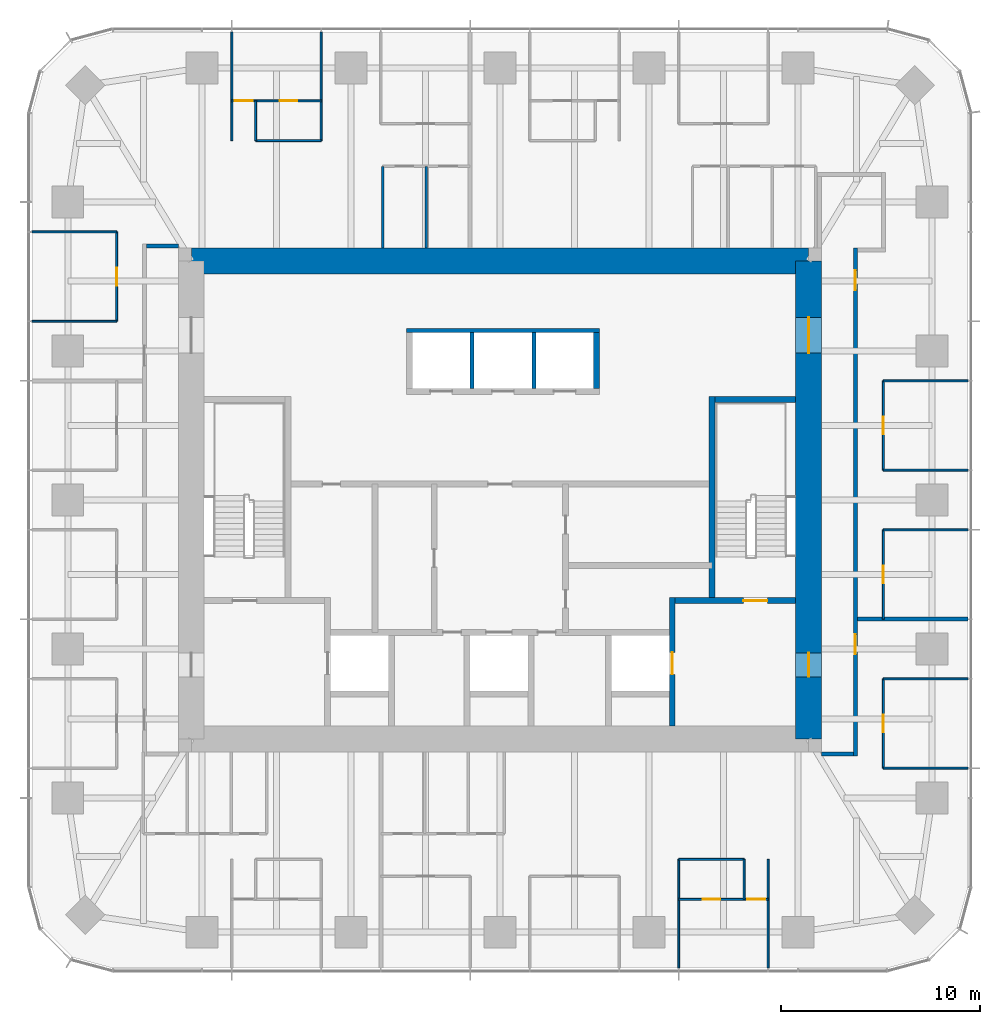
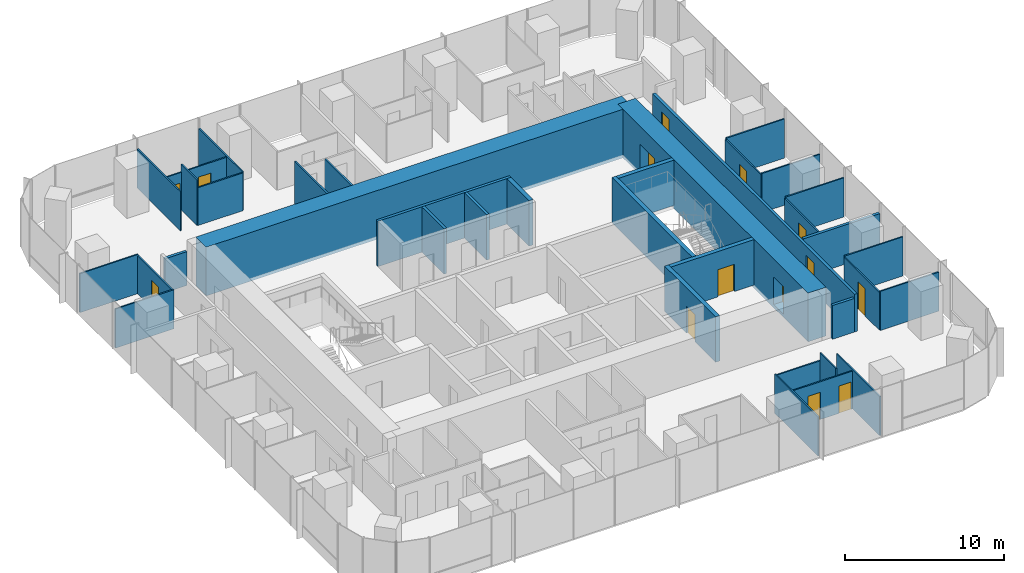
# One storey, part 10 of 12: 37 walls, 14 doors, 14 openings.
"""IFC4 building model written with IfcOpenShell, lengths in metres."""

import ifcopenshell
import ifcopenshell.guid

model = None  # the IFC model being written
_history = None  # IfcOwnerHistory: only IFC2X3 demands one
_inside = {}  # id of a spatial element -> (the spatial element, [elements in it])
_under = {}  # id of a project, library or spatial element -> (it, [spatial elements below it])
_declared = {}  # id of a project -> (the project, [libraries it declares])
_typed = {}  # id of a type object -> (the type object, [elements of that type])
_made_of = {}  # id of a material, layer set ... -> (it, [elements and type objects made of it])


def new_model(schema):
    """Start an empty IFC model of exactly this schema.

    Asked for "IFC4X3", IfcOpenShell would pick the latest addendum, in which some entities
    have other attributes; the version numbers below select the first issue.
    IFC2X3 requires an IfcOwnerHistory on every rooted entity: one is made here for all.
    """
    global model, _history
    if schema == "IFC4X3":
        model = ifcopenshell.file(schema_version=(4, 3, 0, 0))
    else:
        model = ifcopenshell.file(schema=schema)
    _inside.clear()
    _under.clear()
    _declared.clear()
    _typed.clear()
    _made_of.clear()
    _history = None
    if model.schema == "IFC2X3":
        org = make("IfcOrganization", Name="unknown")
        user = make(
            "IfcPersonAndOrganization",
            ThePerson=make("IfcPerson", FamilyName="unknown"),
            TheOrganization=org,
        )
        app = make(
            "IfcApplication",
            ApplicationDeveloper=org,
            Version="unknown",
            ApplicationFullName="unknown",
            ApplicationIdentifier="unknown",
        )
        _history = make(
            "IfcOwnerHistory",
            OwningUser=user,
            OwningApplication=app,
            ChangeAction="ADDED",
            CreationDate=0,
        )
    return model


def make(cls, **values):
    """One entity of the class cls with the attributes given. An attribute that is None is left unset."""
    return model.create_entity(
        cls, **{name: value for name, value in values.items() if value is not None}
    )


def rooted(cls, **values):
    """An entity with a GlobalId (a new one), such as an element, a storey or a relation."""
    return make(cls, GlobalId=ifcopenshell.guid.new(), OwnerHistory=_history, **values)


def si_unit(unit_type, name, prefix=None):
    """IfcSIUnit, for example si_unit("LENGTHUNIT", "METRE", prefix="MILLI")."""
    return make("IfcSIUnit", UnitType=unit_type, Prefix=prefix, Name=name)


def assignment(units):
    """IfcUnitAssignment: the units of a project."""
    return None if units is None else make("IfcUnitAssignment", Units=units)


def point(xyz):
    """IfcCartesianPoint."""
    return None if xyz is None else make("IfcCartesianPoint", Coordinates=xyz)


def direction(xyz):
    """IfcDirection."""
    return None if xyz is None else make("IfcDirection", DirectionRatios=xyz)


def frame(location, z_axis=None, x_axis=None):
    """IfcAxis2Placement3D, a coordinate frame: its origin and axes. An axis left out is left unset."""
    return make(
        "IfcAxis2Placement3D",
        Location=point(location),
        Axis=direction(z_axis),
        RefDirection=direction(x_axis),
    )


def frame_2d(location, x_axis=None):
    """IfcAxis2Placement2D, a coordinate frame in the plane: its origin and x axis."""
    return make(
        "IfcAxis2Placement2D", Location=point(location), RefDirection=direction(x_axis)
    )


def origin():
    """The frame at (0, 0, 0) with its axes left unset."""
    return frame((0.0, 0.0, 0.0))


def place(relative_to, where):
    """IfcLocalPlacement: puts the frame where relative to a parent placement (None: the world)."""
    return make(
        "IfcLocalPlacement", PlacementRelTo=relative_to, RelativePlacement=where
    )


def context(
    kind, dimensions, precision=None, world=None, true_north=None, identifier=None
):
    """IfcGeometricRepresentationContext, for example the 3D "Model" context."""
    return make(
        "IfcGeometricRepresentationContext",
        ContextIdentifier=identifier,
        ContextType=kind,
        CoordinateSpaceDimension=dimensions,
        Precision=precision,
        WorldCoordinateSystem=world,
        TrueNorth=true_north,
    )


def subcontext(parent, identifier, kind, view, scale=None):
    """IfcGeometricRepresentationSubContext, for example "Body" below "Model"."""
    return make(
        "IfcGeometricRepresentationSubContext",
        ContextIdentifier=identifier,
        ContextType=kind,
        ParentContext=parent,
        TargetScale=scale,
        TargetView=view,
    )


def project(units=None, contexts=None):
    """IfcProject with its units and contexts."""
    return rooted(
        "IfcProject",
        Name="project",
        RepresentationContexts=contexts,
        UnitsInContext=assignment(units),
    )


def spatial(cls, under=None, at=None, **own):
    """A site, building, storey or space (cls), placed at a placement, below another one or the project."""
    s = rooted(cls, ObjectPlacement=at, **own)
    if under is not None:
        _under.setdefault(under.id(), (under, []))[1].append(s)
    return s


def profile(cls, at=None, kind="AREA", **sizes):
    """A parametric profile (cls). Its sizes go by their IFC names, for example OverallWidth=200.0."""
    return make(cls, ProfileType=kind, Position=at, **sizes)


def rectangle(**sizes):
    """IfcRectangleProfileDef."""
    return profile("IfcRectangleProfileDef", **sizes)


def extrude(swept, where, along, depth):
    """IfcExtrudedAreaSolid: the profile swept, set in the frame where, extruded along a direction by depth."""
    return make(
        "IfcExtrudedAreaSolid",
        SweptArea=swept,
        Position=where,
        ExtrudedDirection=direction(along),
        Depth=depth,
    )


def shape(context_of_items, identifier, shape_type, items):
    """IfcShapeRepresentation: the items that make up one representation, for example the "Body"."""
    return make(
        "IfcShapeRepresentation",
        ContextOfItems=context_of_items,
        RepresentationIdentifier=identifier,
        RepresentationType=shape_type,
        Items=items,
    )


def material(Name=None, Category=None):
    """IfcMaterial."""
    return make("IfcMaterial", Name=Name, Category=Category)


def layer(
    of_material, thickness, ventilated=None, Name=None, Category=None, Priority=None
):
    """IfcMaterialLayer: one layer of a wall or slab, of a material (None: an air gap)."""
    return make(
        "IfcMaterialLayer",
        Material=of_material,
        LayerThickness=thickness,
        IsVentilated=ventilated,
        Name=Name,
        Category=Category,
        Priority=Priority,
    )


def layer_set(layers, Name=None):
    """IfcMaterialLayerSet."""
    return make("IfcMaterialLayerSet", MaterialLayers=layers, LayerSetName=Name)


def made_of(thing, what):
    """Note that an element or type object is made of a material, layer set ...; save() writes the relation."""
    if what is not None:
        _made_of.setdefault(what.id(), (what, []))[1].append(thing)
    return thing


def type_object(cls, material=None, **own):
    """A type object (cls), such as IfcWallType, which elements share."""
    return made_of(rooted(cls, **own), material)


def element(
    cls,
    number,
    at=None,
    inside=None,
    cuts=None,
    type_object=None,
    material=None,
    context=None,
    identifier="Body",
    shape_type=None,
    held_by="IfcProductDefinitionShape",
    body=None,
    shapes=None,
    **own,
):
    """One element of the class cls, such as IfcWall. Its Tag is "e" and its number.

    at: its placement. inside: the storey or other place that contains it. cuts: it is an
    opening in that element (IfcRelVoidsElement). A single representation is given by context,
    identifier, shape_type and body (its items); several are given by shapes. held_by: the class
    of the entity that holds the representations. save() writes the other relations.
    """
    e = rooted(cls, Tag="e%d" % number, ObjectPlacement=at, **own)
    if body is not None:
        shapes = [shape(context, identifier, shape_type, body)]
    if shapes is not None:
        e.Representation = make(held_by, Representations=shapes)
    if inside is not None:
        _inside.setdefault(inside.id(), (inside, []))[1].append(e)
    if cuts is not None:
        rooted(
            "IfcRelVoidsElement", RelatingBuildingElement=cuts, RelatedOpeningElement=e
        )
    if type_object is not None:
        _typed.setdefault(type_object.id(), (type_object, []))[1].append(e)
    return made_of(e, material)


def fill(opening, filler):
    """IfcRelFillsElement: the door or window that sits in an opening."""
    return rooted(
        "IfcRelFillsElement",
        RelatingOpeningElement=opening,
        RelatedBuildingElement=filler,
    )


def aggregate(whole, parts):
    """IfcRelAggregates: a whole, such as a stair, and the parts it consists of."""
    return rooted("IfcRelAggregates", RelatingObject=whole, RelatedObjects=parts)


def save(model, path):
    """Write the relations noted so far, then the file.

    IfcRelAggregates (storeys below a building ...), IfcRelContainedInSpatialStructure (elements
    in a storey), IfcRelDefinesByType, IfcRelAssociatesMaterial and IfcRelDeclares: one each for
    every whole, place, type object, material and project.
    """
    for whole, parts in _under.values():
        aggregate(whole, parts)
    for where, things in _inside.values():
        rooted(
            "IfcRelContainedInSpatialStructure",
            RelatedElements=things,
            RelatingStructure=where,
        )
    for kind, things in _typed.values():
        rooted("IfcRelDefinesByType", RelatedObjects=things, RelatingType=kind)
    for what, things in _made_of.values():
        rooted("IfcRelAssociatesMaterial", RelatedObjects=things, RelatingMaterial=what)
    for by, libraries in _declared.values():
        rooted("IfcRelDeclares", RelatingContext=by, RelatedDefinitions=libraries)
    model.write(path)


model = new_model("IFC4")

# Units and contexts
model_context = context("Model", 3, precision=1e-05, world=origin(), true_north=direction((0.0, 1.0)))
body_context = subcontext(model_context, "Body", "Model", "MODEL_VIEW")
ifc_project = project(units=[si_unit("LENGTHUNIT", "METRE"), si_unit("AREAUNIT", "SQUARE_METRE"), si_unit("VOLUMEUNIT", "CUBIC_METRE"), si_unit("PLANEANGLEUNIT", "RADIAN"), si_unit("MASSUNIT", "GRAM", prefix="KILO")], contexts=[model_context])

# Site, building, storey
site_placement = place(None, origin())
site = spatial("IfcSite", under=ifc_project, at=site_placement, CompositionType="ELEMENT")
building_placement = place(site_placement, origin())
building = spatial("IfcBuilding", under=site, at=building_placement, Name="Khuree Lantern Residences", CompositionType="ELEMENT")
storey_placement = place(building_placement, frame((0.0, 0.0, 304.5)))
storey = spatial("IfcBuildingStorey", under=building, at=storey_placement, Name="L76", CompositionType="ELEMENT", Elevation=304.5)

# Walls
ifc_material_1 = material(Name="Moisture-resistant gypsum board on steel studs", Category="steel")
ifc_layer_1 = layer(ifc_material_1, 0.125)
ifc_layer_set_1 = layer_set([ifc_layer_1], Name="BATHROOM WALL BTW125")
wall_type_1 = type_object("IfcWallType", Name="BATHROOM WALL BTW125", PredefinedType="PARTITIONING", material=ifc_layer_set_1)
wall_1_placement = place(storey_placement, frame((-3.696044921875, 12.64990234375, 0.0), z_axis=(0.0, 0.0, 1.0), x_axis=(0.0, 1.0, 0.0)))
element("IfcWall", 1, at=wall_1_placement, inside=storey, type_object=wall_type_1, Name="L76 BATHROOM WALL 02", PredefinedType="PARTITIONING", context=body_context, shape_type="SweptSolid", body=[
    extrude(rectangle(XDim=4.096435546875, YDim=0.125, at=frame_2d((2.04833984375, 0.0))), origin(), (0.0, 0.0, 1.0), 2.909912109375),
])
wall_2_placement = place(storey_placement, frame((-5.89599609375, 12.64990234375, 0.0), z_axis=(0.0, 0.0, 1.0), x_axis=(0.0, 1.0, 0.0)))
element("IfcWall", 2, at=wall_2_placement, inside=storey, type_object=wall_type_1, Name="L76 BATHROOM WALL 02", PredefinedType="PARTITIONING", context=body_context, shape_type="SweptSolid", body=[
    extrude(rectangle(XDim=4.096435546875, YDim=0.125, at=frame_2d((2.04833984375, 0.0))), origin(), (0.0, 0.0, 1.0), 3.5),
])

# Wall, opening, door
ifc_material_2 = material(Name="Dense concrete blockwork", Category="masonry")
ifc_layer_2 = layer(ifc_material_2, 0.300048828125)
ifc_layer_set_2 = layer_set([ifc_layer_2], Name="CORE PARTITION WALL CPW300 EI 120")
wall_type_2 = type_object("IfcWallType", Name="CORE PARTITION WALL CPW300 EI 120", PredefinedType="PARTITIONING", material=ifc_layer_set_2)
wall_3_placement = place(storey_placement, frame((8.64990234375, -11.35009765625, 0.0), z_axis=(0.0, 0.0, 1.0), x_axis=(0.0, 1.0, 0.0)))
wall_3 = element("IfcWall", 3, at=wall_3_placement, inside=storey, type_object=wall_type_2, Name="L76 CORE WALL FL2E", PredefinedType="PARTITIONING", context=body_context, shape_type="SweptSolid", body=[
    extrude(rectangle(XDim=6.4501953125, YDim=0.300048828125, at=frame_2d((3.22509765625, 0.0))), origin(), (0.0, 0.0, 1.0), 3.5),
])
opening_1_placement = place(wall_3_placement, frame((2.60009765625, 0.0, 0.0)))
opening_1 = element("IfcOpeningElement", 4, at=opening_1_placement, cuts=wall_3, Name="Opening 76-008", PredefinedType="OPENING", context=body_context, shape_type="SweptSolid", body=[
    extrude(rectangle(XDim=1.10009765625, YDim=2.10009765625, at=frame_2d((0.550048828125, 1.050048828125))), frame((0.0, 0.16015625, 0.0), z_axis=(0.0, -1.0, 0.0), x_axis=(1.0, 0.0, 0.0)), (0.0, 0.0, 1.0), 0.320068359375),
])
ifc_material_3 = material(Name="Stainless steel lift landing door", Category="steel")
door_type_1 = type_object("IfcDoorType", Name="LIFT LANDING DOOR 1100X2100 E 120", OperationType="DOUBLE_DOOR_SLIDING", PredefinedType="DOOR", material=ifc_material_3)
door_1_placement = place(opening_1_placement, origin())
door_1 = element("IfcDoor", 5, at=door_1_placement, inside=storey, type_object=door_type_1, Name="Landing door FL2 76-008", OperationType="DOUBLE_DOOR_SLIDING", OverallHeight=2.10009765625, OverallWidth=1.10009765625, PredefinedType="DOOR", context=body_context, shape_type="SweptSolid", body=[
    extrude(rectangle(XDim=1.10009765625, YDim=2.10009765625, at=frame_2d((0.550048828125, 1.050048828125))), frame((0.0, 0.02490234375, 0.0), z_axis=(0.0, -1.0, 0.0), x_axis=(1.0, 0.0, 0.0)), (0.0, 0.0, 1.0), 0.050048828125),
])
fill(opening_1, door_1)

# Walls
wall_4_placement = place(storey_placement, frame((4.85009765625, 5.60009765625, 0.0), z_axis=(0.0, 0.0, 1.0), x_axis=(0.0, 1.0, 0.0)))
element("IfcWall", 6, at=wall_4_placement, inside=storey, type_object=wall_type_2, Name="L76 CORE WALL PHE", PredefinedType="PARTITIONING", context=body_context, shape_type="SweptSolid", body=[
    extrude(rectangle(XDim=2.7998046875, YDim=0.300048828125, at=frame_2d((1.39990234375, 0.0))), origin(), (0.0, 0.0, 1.0), 3.5),
])
ifc_material_4 = material(Name="Gypsum board on steel studs", Category="steel")
ifc_layer_3 = layer(ifc_material_4, 0.199951171875)
ifc_layer_set_3 = layer_set([ifc_layer_3], Name="CORRIDOR WALL CRW200 EI 60")
wall_type_3 = type_object("IfcWallType", Name="CORRIDOR WALL CRW200 EI 60", PredefinedType="PARTITIONING", material=ifc_layer_set_3)
for number, where, z_axis, x_axis, name in (
    (7, (16.14990234375, -12.75, 0.0), (0.0, 0.0, 1.0), (1.0, 0.0, 0.0), "L76 EAST CORRIDOR SOUTH END WALL"),
    (8, (-16.14990234375, 12.75, 0.0), (0.0, 0.0, 1.0), (-1.0, 0.0, 0.0), "L76 WEST CORRIDOR NORTH END WALL"),
):
    element("IfcWall", number, at=place(storey_placement, frame(where, z_axis=z_axis, x_axis=x_axis)), inside=storey, type_object=wall_type_3, Name=name, PredefinedType="PARTITIONING", context=body_context, shape_type="SweptSolid", body=[
        extrude(rectangle(XDim=1.60009765625, YDim=0.199951171875, at=frame_2d((0.800048828125, 0.0))), origin(), (0.0, 0.0, 1.0), 2.60009765625),
    ])

# Wall, openings, doors
wall_5_placement = place(storey_placement, frame((17.85009765625, -12.85009765625, 0.0), z_axis=(0.0, 0.0, 1.0), x_axis=(0.0, 1.0, 0.0)))
wall_5 = element("IfcWall", 9, at=wall_5_placement, inside=storey, type_object=wall_type_3, Name="L76 CORRIDOR WALL EAST 1", PredefinedType="PARTITIONING", context=body_context, shape_type="SweptSolid", body=[
    extrude(rectangle(XDim=25.5, YDim=0.199951171875, at=frame_2d((12.75, 0.0))), origin(), (0.0, 0.0, 1.0), 2.89990234375),
])
opening_2_placement = place(wall_5_placement, frame((23.385986328125, 0.0, 0.0)))
opening_2 = element("IfcOpeningElement", 10, at=opening_2_placement, cuts=wall_5, Name="Opening 76-028", PredefinedType="OPENING", context=body_context, shape_type="SweptSolid", body=[
    extrude(rectangle(XDim=1.0, YDim=2.199951171875, at=frame_2d((0.5, 1.10009765625))), frame((0.0, 0.10986328125, 0.0), z_axis=(0.0, -1.0, 0.0), x_axis=(1.0, 0.0, 0.0)), (0.0, 0.0, 1.0), 0.219970703125),
])
opening_3_placement = place(wall_5_placement, frame((5.10009765625, 0.0, 0.0)))
opening_3 = element("IfcOpeningElement", 11, at=opening_3_placement, cuts=wall_5, Name="Opening 76-053", PredefinedType="OPENING", context=body_context, shape_type="SweptSolid", body=[
    extrude(rectangle(XDim=1.0, YDim=2.199951171875, at=frame_2d((0.5, 1.10009765625))), frame((0.0, 0.10986328125, 0.0), z_axis=(0.0, -1.0, 0.0), x_axis=(1.0, 0.0, 0.0)), (0.0, 0.0, 1.0), 0.219970703125),
])
ifc_material_5 = material(Name="Timber door leaf in hardwood frame", Category="wood")
door_type_2 = type_object("IfcDoorType", Name="APARTMENT ENTRANCE DOOR 1000X2200 EI 30S", OperationType="SINGLE_SWING_LEFT", PredefinedType="DOOR", material=ifc_material_5)
door_2_placement = place(opening_2_placement, origin())
door_2 = element("IfcDoor", 12, at=door_2_placement, inside=storey, type_object=door_type_2, Name="Apartment 01 entrance door 76-028", OperationType="SINGLE_SWING_LEFT", OverallHeight=2.199951171875, OverallWidth=1.0, PredefinedType="DOOR", context=body_context, shape_type="SweptSolid", body=[
    extrude(rectangle(XDim=1.0, YDim=2.199951171875, at=frame_2d((0.5, 1.10009765625))), frame((0.0, 0.02490234375, 0.0), z_axis=(0.0, -1.0, 0.0), x_axis=(1.0, 0.0, 0.0)), (0.0, 0.0, 1.0), 0.050048828125),
])
fill(opening_2, door_2)
door_3_placement = place(opening_3_placement, origin())
door_3 = element("IfcDoor", 13, at=door_3_placement, inside=storey, type_object=door_type_2, Name="Apartment 04 entrance door 76-053", OperationType="SINGLE_SWING_LEFT", OverallHeight=2.199951171875, OverallWidth=1.0, PredefinedType="DOOR", context=body_context, shape_type="SweptSolid", body=[
    extrude(rectangle(XDim=1.0, YDim=2.199951171875, at=frame_2d((0.5, 1.10009765625))), frame((0.0, 0.02490234375, 0.0), z_axis=(0.0, -1.0, 0.0), x_axis=(1.0, 0.0, 0.0)), (0.0, 0.0, 1.0), 0.050048828125),
])
fill(opening_3, door_3)

ifc_material_6 = material(Name="Concrete C50/60", Category="concrete")
ifc_layer_4 = layer(ifc_material_6, 1.300048828125)
ifc_layer_set_4 = layer_set([ifc_layer_4], Name="CW1300-C50 CORE WALL C50 1300")
wall_type_4 = type_object("IfcWallType", Name="CW1300-C50 CORE WALL C50 1300", PredefinedType="SHEAR", material=ifc_layer_set_4)
wall_6_placement = place(storey_placement, frame((15.5, -12.0, -0.25), z_axis=(0.0, 0.0, 1.0), x_axis=(0.0, 1.0, 0.0)))
wall_6 = element("IfcWall", 14, at=wall_6_placement, inside=storey, type_object=wall_type_4, Name="Core wall E", PredefinedType="SHEAR", context=body_context, shape_type="SweptSolid", body=[
    extrude(rectangle(XDim=24.0, YDim=1.300048828125, at=frame_2d((12.0, 0.0))), origin(), (0.0, 0.0, 1.0), 3.75),
])
opening_4_placement = place(wall_6_placement, frame((3.125, 0.0, 0.25)))
opening_4 = element("IfcOpeningElement", 15, at=opening_4_placement, cuts=wall_6, Name="Opening 76-005", PredefinedType="OPENING", context=body_context, shape_type="SweptSolid", body=[
    extrude(rectangle(XDim=1.199951171875, YDim=2.10009765625, at=frame_2d((0.60009765625, 1.050048828125))), frame((0.0, 0.66015625, 0.0), z_axis=(0.0, -1.0, 0.0), x_axis=(1.0, 0.0, 0.0)), (0.0, 0.0, 1.0), 1.320068359375),
])
opening_5_placement = place(wall_6_placement, frame((19.375, 0.0, 0.25)))
opening_5 = element("IfcOpeningElement", 16, at=opening_5_placement, cuts=wall_6, Name="Opening 76-006", PredefinedType="OPENING", context=body_context, shape_type="SweptSolid", body=[
    extrude(rectangle(XDim=1.800048828125, YDim=2.10009765625, at=frame_2d((0.89990234375, 1.050048828125))), frame((0.0, 0.66015625, 0.0), z_axis=(0.0, -1.0, 0.0), x_axis=(1.0, 0.0, 0.0)), (0.0, 0.0, 1.0), 1.320068359375),
])
ifc_material_7 = material(Name="Steel door leaf in steel frame", Category="steel")
door_type_3 = type_object("IfcDoorType", Name="LOBBY DOOR 1200X2100 EI 120", OperationType="SINGLE_SWING_LEFT", PredefinedType="DOOR", material=ifc_material_7)
door_4_placement = place(opening_4_placement, origin())
door_4 = element("IfcDoor", 17, at=door_4_placement, inside=storey, type_object=door_type_3, Name="Firefighting lobby door 76-005", OperationType="SINGLE_SWING_LEFT", OverallHeight=2.10009765625, OverallWidth=1.199951171875, PredefinedType="DOOR", context=body_context, shape_type="SweptSolid", body=[
    extrude(rectangle(XDim=1.199951171875, YDim=2.10009765625, at=frame_2d((0.60009765625, 1.050048828125))), frame((0.0, 0.02490234375, 0.0), z_axis=(0.0, -1.0, 0.0), x_axis=(1.0, 0.0, 0.0)), (0.0, 0.0, 1.0), 0.050048828125),
])
fill(opening_4, door_4)
door_type_4 = type_object("IfcDoorType", Name="LOBBY DOUBLE DOOR 1800X2100 EI 60", OperationType="DOUBLE_DOOR_SINGLE_SWING", PredefinedType="DOOR", material=ifc_material_7)
door_5_placement = place(opening_5_placement, origin())
door_5 = element("IfcDoor", 18, at=door_5_placement, inside=storey, type_object=door_type_4, Name="Lift lobby door 76-006", OperationType="DOUBLE_DOOR_SINGLE_SWING", OverallHeight=2.10009765625, OverallWidth=1.800048828125, PredefinedType="DOOR", context=body_context, shape_type="SweptSolid", body=[
    extrude(rectangle(XDim=1.800048828125, YDim=2.10009765625, at=frame_2d((0.89990234375, 1.050048828125))), frame((0.0, 0.02490234375, 0.0), z_axis=(0.0, -1.0, 0.0), x_axis=(1.0, 0.0, 0.0)), (0.0, 0.0, 1.0), 0.050048828125),
])
fill(opening_5, door_5)

# Walls
wall_7_placement = place(storey_placement, frame((-15.5, 12.0, -0.25), z_axis=(0.0, 0.0, 1.0), x_axis=(1.0, 0.0, 0.0)))
element("IfcWall", 19, at=wall_7_placement, inside=storey, type_object=wall_type_4, Name="Core wall N", PredefinedType="SHEAR", context=body_context, shape_type="SweptSolid", body=[
    extrude(rectangle(XDim=31.0, YDim=1.300048828125, at=frame_2d((15.5, 0.0))), origin(), (0.0, 0.0, 1.0), 3.75),
])
ifc_layer_5 = layer(ifc_material_4, 0.199951171875)
ifc_layer_set_5 = layer_set([ifc_layer_5], Name="DEMISING WALL DMW200 EI 90")
wall_type_5 = type_object("IfcWallType", Name="DEMISING WALL DMW200 EI 90", PredefinedType="PARTITIONING", material=ifc_layer_set_5)
wall_8_placement = place(storey_placement, frame((17.949951171875, -5.98388671875, 0.0), z_axis=(0.0, 0.0, 1.0), x_axis=(1.0, 0.0, 0.0)))
element("IfcWall", 20, at=wall_8_placement, inside=storey, type_object=wall_type_5, Name="L76 DEMISING WALL 01", PredefinedType="PARTITIONING", context=body_context, shape_type="SweptSolid", body=[
    extrude(rectangle(XDim=5.550048828125, YDim=0.199951171875, at=frame_2d((2.77490234375, 0.0))), origin(), (0.0, 0.0, 1.0), 3.010009765625),
])
ifc_layer_6 = layer(ifc_material_4, 0.10009765625)
ifc_layer_set_6 = layer_set([ifc_layer_6], Name="PARTITION PT100")
wall_type_6 = type_object("IfcWallType", Name="PARTITION PT100", PredefinedType="PARTITIONING", material=ifc_layer_set_6)
for number, where, z_axis, x_axis, name in (
    (21, (19.25, -1.49609375, 0.0), (0.0, 0.0, 1.0), (1.0, 0.0, 0.0), "L76 PARTITION 01"),
    (22, (19.25, 1.49609375, 0.0), (0.0, 0.0, 1.0), (1.0, 0.0, 0.0), "L76 PARTITION 01"),
    (23, (19.25, 5.98388671875, 0.0), (0.0, 0.0, 1.0), (1.0, 0.0, 0.0), "L76 PARTITION 01"),
):
    element("IfcWall", number, at=place(storey_placement, frame(where, z_axis=z_axis, x_axis=x_axis)), inside=storey, type_object=wall_type_6, Name=name, PredefinedType="PARTITIONING", context=body_context, shape_type="SweptSolid", body=[
        extrude(rectangle(XDim=4.25, YDim=0.10009765625, at=frame_2d((2.125, 0.0))), origin(), (0.0, 0.0, 1.0), 3.010009765625),
    ])
for number, where, z_axis, x_axis, name in (
    (24, (-8.97607421875, 18.04638671875, 0.0), (0.0, 0.0, 1.0), (0.0, 1.0, 0.0), "L76 PARTITION 02"),
    (25, (-13.464111328125, 18.04638671875, 0.0), (0.0, 0.0, 1.0), (0.0, 1.0, 0.0), "L76 PARTITION 02"),
):
    element("IfcWall", number, at=place(storey_placement, frame(where, z_axis=z_axis, x_axis=x_axis)), inside=storey, type_object=wall_type_6, Name=name, PredefinedType="PARTITIONING", context=body_context, shape_type="SweptSolid", body=[
        extrude(rectangle(XDim=5.45361328125, YDim=0.10009765625, at=frame_2d((2.726806640625, 0.0))), origin(), (0.0, 0.0, 1.0), 3.010009765625),
    ])
for number, where, z_axis, x_axis, name in (
    (26, (-19.25, 13.464111328125, 0.0), (0.0, 0.0, 1.0), (-1.0, 0.0, 0.0), "L76 PARTITION 02"),
    (27, (-19.25, 8.97607421875, 0.0), (0.0, 0.0, 1.0), (-1.0, 0.0, 0.0), "L76 PARTITION 02"),
):
    element("IfcWall", number, at=place(storey_placement, frame(where, z_axis=z_axis, x_axis=x_axis)), inside=storey, type_object=wall_type_6, Name=name, PredefinedType="PARTITIONING", context=body_context, shape_type="SweptSolid", body=[
        extrude(rectangle(XDim=4.25, YDim=0.10009765625, at=frame_2d((2.125, 0.0))), origin(), (0.0, 0.0, 1.0), 3.010009765625),
    ])
for number, where, z_axis, x_axis, name in (
    (28, (8.97607421875, -18.04638671875, 0.0), (0.0, 0.0, 1.0), (0.0, -1.0, 0.0), "L76 PARTITION 04"),
    (29, (13.464111328125, -18.04638671875, 0.0), (0.0, 0.0, 1.0), (0.0, -1.0, 0.0), "L76 PARTITION 04"),
):
    element("IfcWall", number, at=place(storey_placement, frame(where, z_axis=z_axis, x_axis=x_axis)), inside=storey, type_object=wall_type_6, Name=name, PredefinedType="PARTITIONING", context=body_context, shape_type="SweptSolid", body=[
        extrude(rectangle(XDim=5.45361328125, YDim=0.10009765625, at=frame_2d((2.726806640625, 0.0))), origin(), (0.0, 0.0, 1.0), 3.010009765625),
    ])
for number, where, z_axis, x_axis, name in (
    (30, (19.25, -13.464111328125, 0.0), (0.0, 0.0, 1.0), (1.0, 0.0, 0.0), "L76 PARTITION 04"),
    (31, (19.25, -8.97607421875, 0.0), (0.0, 0.0, 1.0), (1.0, 0.0, 0.0), "L76 PARTITION 04"),
):
    element("IfcWall", number, at=place(storey_placement, frame(where, z_axis=z_axis, x_axis=x_axis)), inside=storey, type_object=wall_type_6, Name=name, PredefinedType="PARTITIONING", context=body_context, shape_type="SweptSolid", body=[
        extrude(rectangle(XDim=4.25, YDim=0.10009765625, at=frame_2d((2.125, 0.0))), origin(), (0.0, 0.0, 1.0), 3.010009765625),
    ])

# Wall, opening, door
wall_9_placement = place(storey_placement, frame((19.25, -5.98388671875, 0.0), z_axis=(0.0, 0.0, 1.0), x_axis=(0.0, 1.0, 0.0)))
wall_9 = element("IfcWall", 32, at=wall_9_placement, inside=storey, type_object=wall_type_6, Name="L76 PARTITION 01", PredefinedType="PARTITIONING", context=body_context, shape_type="SweptSolid", body=[
    extrude(rectangle(XDim=4.48779296875, YDim=0.10009765625, at=frame_2d((2.243896484375, 0.0))), origin(), (0.0, 0.0, 1.0), 2.909912109375),
])
opening_6_placement = place(wall_9_placement, frame((1.7939453125, 0.0, 0.0)))
opening_6 = element("IfcOpeningElement", 33, at=opening_6_placement, cuts=wall_9, Name="Opening 76-020", PredefinedType="OPENING", context=body_context, shape_type="SweptSolid", body=[
    extrude(rectangle(XDim=0.89990234375, YDim=2.10009765625, at=frame_2d((0.449951171875, 1.050048828125))), frame((0.0, 0.06005859375, 0.0), z_axis=(0.0, -1.0, 0.0), x_axis=(1.0, 0.0, 0.0)), (0.0, 0.0, 1.0), 0.1201171875),
])
door_type_5 = type_object("IfcDoorType", Name="BEDROOM DOOR 900X2100", OperationType="SINGLE_SWING_LEFT", PredefinedType="DOOR", material=ifc_material_5)
door_6_placement = place(opening_6_placement, origin())
door_6 = element("IfcDoor", 34, at=door_6_placement, inside=storey, type_object=door_type_5, Name="Bedroom door 76-020", OperationType="SINGLE_SWING_LEFT", OverallHeight=2.10009765625, OverallWidth=0.89990234375, PredefinedType="DOOR", context=body_context, shape_type="SweptSolid", body=[
    extrude(rectangle(XDim=0.89990234375, YDim=2.10009765625, at=frame_2d((0.449951171875, 1.050048828125))), frame((0.0, 0.02490234375, 0.0), z_axis=(0.0, -1.0, 0.0), x_axis=(1.0, 0.0, 0.0)), (0.0, 0.0, 1.0), 0.050048828125),
])
fill(opening_6, door_6)

wall_10_placement = place(storey_placement, frame((19.25, 1.49609375, 0.0), z_axis=(0.0, 0.0, 1.0), x_axis=(0.0, 1.0, 0.0)))
wall_10 = element("IfcWall", 35, at=wall_10_placement, inside=storey, type_object=wall_type_6, Name="L76 PARTITION 01", PredefinedType="PARTITIONING", context=body_context, shape_type="SweptSolid", body=[
    extrude(rectangle(XDim=4.48779296875, YDim=0.10009765625, at=frame_2d((2.243896484375, 0.0))), origin(), (0.0, 0.0, 1.0), 2.909912109375),
])
opening_7_placement = place(wall_10_placement, frame((1.7939453125, 0.0, 0.0)))
opening_7 = element("IfcOpeningElement", 36, at=opening_7_placement, cuts=wall_10, Name="Opening 76-021", PredefinedType="OPENING", context=body_context, shape_type="SweptSolid", body=[
    extrude(rectangle(XDim=0.89990234375, YDim=2.10009765625, at=frame_2d((0.449951171875, 1.050048828125))), frame((0.0, 0.06005859375, 0.0), z_axis=(0.0, -1.0, 0.0), x_axis=(1.0, 0.0, 0.0)), (0.0, 0.0, 1.0), 0.1201171875),
])
door_7_placement = place(opening_7_placement, origin())
door_7 = element("IfcDoor", 37, at=door_7_placement, inside=storey, type_object=door_type_5, Name="Bedroom door 76-021", OperationType="SINGLE_SWING_LEFT", OverallHeight=2.10009765625, OverallWidth=0.89990234375, PredefinedType="DOOR", context=body_context, shape_type="SweptSolid", body=[
    extrude(rectangle(XDim=0.89990234375, YDim=2.10009765625, at=frame_2d((0.449951171875, 1.050048828125))), frame((0.0, 0.02490234375, 0.0), z_axis=(0.0, -1.0, 0.0), x_axis=(1.0, 0.0, 0.0)), (0.0, 0.0, 1.0), 0.050048828125),
])
fill(opening_7, door_7)

# Wall, openings, doors
wall_11_placement = place(storey_placement, frame((-8.97607421875, 20.04638671875, 0.0), z_axis=(0.0, 0.0, 1.0), x_axis=(-1.0, 0.0, 0.0)))
wall_11 = element("IfcWall", 38, at=wall_11_placement, inside=storey, type_object=wall_type_6, Name="L76 PARTITION 02", PredefinedType="PARTITIONING", context=body_context, shape_type="SweptSolid", body=[
    extrude(rectangle(XDim=4.488037109375, YDim=0.10009765625, at=frame_2d((2.244140625, 0.0))), origin(), (0.0, 0.0, 1.0), 2.909912109375),
])
opening_8_placement = place(wall_11_placement, frame((3.43798828125, 0.0, 0.0)))
opening_8 = element("IfcOpeningElement", 39, at=opening_8_placement, cuts=wall_11, Name="Opening 76-030", PredefinedType="OPENING", context=body_context, shape_type="SweptSolid", body=[
    extrude(rectangle(XDim=0.89990234375, YDim=2.10009765625, at=frame_2d((0.449951171875, 1.050048828125))), frame((0.0, 0.06005859375, 0.0), z_axis=(0.0, -1.0, 0.0), x_axis=(1.0, 0.0, 0.0)), (0.0, 0.0, 1.0), 0.1201171875),
])
opening_9_placement = place(wall_11_placement, frame((1.194091796875, 0.0, 0.0)))
opening_9 = element("IfcOpeningElement", 40, at=opening_9_placement, cuts=wall_11, Name="Opening 76-031", PredefinedType="OPENING", context=body_context, shape_type="SweptSolid", body=[
    extrude(rectangle(XDim=0.89990234375, YDim=2.10009765625, at=frame_2d((0.449951171875, 1.050048828125))), frame((0.0, 0.06005859375, 0.0), z_axis=(0.0, -1.0, 0.0), x_axis=(1.0, 0.0, 0.0)), (0.0, 0.0, 1.0), 0.1201171875),
])
door_8_placement = place(opening_8_placement, origin())
door_8 = element("IfcDoor", 41, at=door_8_placement, inside=storey, type_object=door_type_5, Name="Bedroom door 76-030", OperationType="SINGLE_SWING_LEFT", OverallHeight=2.10009765625, OverallWidth=0.89990234375, PredefinedType="DOOR", context=body_context, shape_type="SweptSolid", body=[
    extrude(rectangle(XDim=0.89990234375, YDim=2.10009765625, at=frame_2d((0.449951171875, 1.050048828125))), frame((0.0, 0.02490234375, 0.0), z_axis=(0.0, -1.0, 0.0), x_axis=(1.0, 0.0, 0.0)), (0.0, 0.0, 1.0), 0.050048828125),
])
fill(opening_8, door_8)
door_type_6 = type_object("IfcDoorType", Name="DOOR 900X2100", OperationType="SINGLE_SWING_LEFT", PredefinedType="DOOR", material=ifc_material_5)
door_9_placement = place(opening_9_placement, origin())
door_9 = element("IfcDoor", 42, at=door_9_placement, inside=storey, type_object=door_type_6, Name="Wardrobe door 76-031", OperationType="SINGLE_SWING_LEFT", OverallHeight=2.10009765625, OverallWidth=0.89990234375, PredefinedType="DOOR", context=body_context, shape_type="SweptSolid", body=[
    extrude(rectangle(XDim=0.89990234375, YDim=2.10009765625, at=frame_2d((0.449951171875, 1.050048828125))), frame((0.0, 0.02490234375, 0.0), z_axis=(0.0, -1.0, 0.0), x_axis=(1.0, 0.0, 0.0)), (0.0, 0.0, 1.0), 0.050048828125),
])
fill(opening_9, door_9)

# Walls
wall_12_placement = place(storey_placement, frame((-12.263916015625, 18.04638671875, 0.0), z_axis=(0.0, 0.0, 1.0), x_axis=(0.0, 1.0, 0.0)))
element("IfcWall", 43, at=wall_12_placement, inside=storey, type_object=wall_type_6, Name="L76 PARTITION 02", PredefinedType="PARTITIONING", context=body_context, shape_type="SweptSolid", body=[
    extrude(rectangle(XDim=2.0, YDim=0.10009765625, at=frame_2d((1.0, 0.0))), origin(), (0.0, 0.0, 1.0), 3.5),
])
wall_13_placement = place(storey_placement, frame((-8.97607421875, 18.04638671875, 0.0), z_axis=(0.0, 0.0, 1.0), x_axis=(-1.0, 0.0, 0.0)))
element("IfcWall", 44, at=wall_13_placement, inside=storey, type_object=wall_type_6, Name="L76 PARTITION 02", PredefinedType="PARTITIONING", context=body_context, shape_type="SweptSolid", body=[
    extrude(rectangle(XDim=3.287841796875, YDim=0.10009765625, at=frame_2d((1.64404296875, 0.0))), origin(), (0.0, 0.0, 1.0), 2.909912109375),
])

# Wall, opening, door
wall_14_placement = place(storey_placement, frame((-19.25, 13.464111328125, 0.0), z_axis=(0.0, 0.0, 1.0), x_axis=(0.0, -1.0, 0.0)))
wall_14 = element("IfcWall", 45, at=wall_14_placement, inside=storey, type_object=wall_type_6, Name="L76 PARTITION 02", PredefinedType="PARTITIONING", context=body_context, shape_type="SweptSolid", body=[
    extrude(rectangle(XDim=4.488037109375, YDim=0.10009765625, at=frame_2d((2.244140625, 0.0))), origin(), (0.0, 0.0, 1.0), 2.909912109375),
])
opening_10_placement = place(wall_14_placement, frame((1.7939453125, 0.0, 0.0)))
opening_10 = element("IfcOpeningElement", 46, at=opening_10_placement, cuts=wall_14, Name="Opening 76-032", PredefinedType="OPENING", context=body_context, shape_type="SweptSolid", body=[
    extrude(rectangle(XDim=0.89990234375, YDim=2.10009765625, at=frame_2d((0.449951171875, 1.050048828125))), frame((0.0, 0.06005859375, 0.0), z_axis=(0.0, -1.0, 0.0), x_axis=(1.0, 0.0, 0.0)), (0.0, 0.0, 1.0), 0.1201171875),
])
door_10_placement = place(opening_10_placement, origin())
door_10 = element("IfcDoor", 47, at=door_10_placement, inside=storey, type_object=door_type_5, Name="Bedroom door 76-032", OperationType="SINGLE_SWING_LEFT", OverallHeight=2.10009765625, OverallWidth=0.89990234375, PredefinedType="DOOR", context=body_context, shape_type="SweptSolid", body=[
    extrude(rectangle(XDim=0.89990234375, YDim=2.10009765625, at=frame_2d((0.449951171875, 1.050048828125))), frame((0.0, 0.02490234375, 0.0), z_axis=(0.0, -1.0, 0.0), x_axis=(1.0, 0.0, 0.0)), (0.0, 0.0, 1.0), 0.050048828125),
])
fill(opening_10, door_10)

# Wall, openings, doors
wall_15_placement = place(storey_placement, frame((8.97607421875, -20.04638671875, 0.0), z_axis=(0.0, 0.0, 1.0), x_axis=(1.0, 0.0, 0.0)))
wall_15 = element("IfcWall", 48, at=wall_15_placement, inside=storey, type_object=wall_type_6, Name="L76 PARTITION 04", PredefinedType="PARTITIONING", context=body_context, shape_type="SweptSolid", body=[
    extrude(rectangle(XDim=4.488037109375, YDim=0.10009765625, at=frame_2d((2.244140625, 0.0))), origin(), (0.0, 0.0, 1.0), 2.909912109375),
])
opening_11_placement = place(wall_15_placement, frame((3.43798828125, 0.0, 0.0)))
opening_11 = element("IfcOpeningElement", 49, at=opening_11_placement, cuts=wall_15, Name="Opening 76-047", PredefinedType="OPENING", context=body_context, shape_type="SweptSolid", body=[
    extrude(rectangle(XDim=0.89990234375, YDim=2.10009765625, at=frame_2d((0.449951171875, 1.050048828125))), frame((0.0, 0.06005859375, 0.0), z_axis=(0.0, -1.0, 0.0), x_axis=(1.0, 0.0, 0.0)), (0.0, 0.0, 1.0), 0.1201171875),
])
opening_12_placement = place(wall_15_placement, frame((1.194091796875, 0.0, 0.0)))
opening_12 = element("IfcOpeningElement", 50, at=opening_12_placement, cuts=wall_15, Name="Opening 76-048", PredefinedType="OPENING", context=body_context, shape_type="SweptSolid", body=[
    extrude(rectangle(XDim=0.89990234375, YDim=2.10009765625, at=frame_2d((0.449951171875, 1.050048828125))), frame((0.0, 0.06005859375, 0.0), z_axis=(0.0, -1.0, 0.0), x_axis=(1.0, 0.0, 0.0)), (0.0, 0.0, 1.0), 0.1201171875),
])
door_11_placement = place(opening_11_placement, origin())
door_11 = element("IfcDoor", 51, at=door_11_placement, inside=storey, type_object=door_type_5, Name="Bedroom door 76-047", OperationType="SINGLE_SWING_LEFT", OverallHeight=2.10009765625, OverallWidth=0.89990234375, PredefinedType="DOOR", context=body_context, shape_type="SweptSolid", body=[
    extrude(rectangle(XDim=0.89990234375, YDim=2.10009765625, at=frame_2d((0.449951171875, 1.050048828125))), frame((0.0, 0.02490234375, 0.0), z_axis=(0.0, -1.0, 0.0), x_axis=(1.0, 0.0, 0.0)), (0.0, 0.0, 1.0), 0.050048828125),
])
fill(opening_11, door_11)
door_12_placement = place(opening_12_placement, origin())
door_12 = element("IfcDoor", 52, at=door_12_placement, inside=storey, type_object=door_type_6, Name="Wardrobe door 76-048", OperationType="SINGLE_SWING_LEFT", OverallHeight=2.10009765625, OverallWidth=0.89990234375, PredefinedType="DOOR", context=body_context, shape_type="SweptSolid", body=[
    extrude(rectangle(XDim=0.89990234375, YDim=2.10009765625, at=frame_2d((0.449951171875, 1.050048828125))), frame((0.0, 0.02490234375, 0.0), z_axis=(0.0, -1.0, 0.0), x_axis=(1.0, 0.0, 0.0)), (0.0, 0.0, 1.0), 0.050048828125),
])
fill(opening_12, door_12)

# Walls
wall_16_placement = place(storey_placement, frame((12.263916015625, -18.04638671875, 0.0), z_axis=(0.0, 0.0, 1.0), x_axis=(0.0, -1.0, 0.0)))
element("IfcWall", 53, at=wall_16_placement, inside=storey, type_object=wall_type_6, Name="L76 PARTITION 04", PredefinedType="PARTITIONING", context=body_context, shape_type="SweptSolid", body=[
    extrude(rectangle(XDim=2.0, YDim=0.10009765625, at=frame_2d((1.0, 0.0))), origin(), (0.0, 0.0, 1.0), 3.5),
])
wall_17_placement = place(storey_placement, frame((8.97607421875, -18.04638671875, 0.0), z_axis=(0.0, 0.0, 1.0), x_axis=(1.0, 0.0, 0.0)))
element("IfcWall", 54, at=wall_17_placement, inside=storey, type_object=wall_type_6, Name="L76 PARTITION 04", PredefinedType="PARTITIONING", context=body_context, shape_type="SweptSolid", body=[
    extrude(rectangle(XDim=3.287841796875, YDim=0.10009765625, at=frame_2d((1.64404296875, 0.0))), origin(), (0.0, 0.0, 1.0), 2.909912109375),
])

# Wall, opening, door
wall_18_placement = place(storey_placement, frame((19.25, -13.464111328125, 0.0), z_axis=(0.0, 0.0, 1.0), x_axis=(0.0, 1.0, 0.0)))
wall_18 = element("IfcWall", 55, at=wall_18_placement, inside=storey, type_object=wall_type_6, Name="L76 PARTITION 04", PredefinedType="PARTITIONING", context=body_context, shape_type="SweptSolid", body=[
    extrude(rectangle(XDim=4.488037109375, YDim=0.10009765625, at=frame_2d((2.244140625, 0.0))), origin(), (0.0, 0.0, 1.0), 2.909912109375),
])
opening_13_placement = place(wall_18_placement, frame((1.7939453125, 0.0, 0.0)))
opening_13 = element("IfcOpeningElement", 56, at=opening_13_placement, cuts=wall_18, Name="Opening 76-049", PredefinedType="OPENING", context=body_context, shape_type="SweptSolid", body=[
    extrude(rectangle(XDim=0.89990234375, YDim=2.10009765625, at=frame_2d((0.449951171875, 1.050048828125))), frame((0.0, 0.06005859375, 0.0), z_axis=(0.0, -1.0, 0.0), x_axis=(1.0, 0.0, 0.0)), (0.0, 0.0, 1.0), 0.1201171875),
])
door_13_placement = place(opening_13_placement, origin())
door_13 = element("IfcDoor", 57, at=door_13_placement, inside=storey, type_object=door_type_5, Name="Bedroom door 76-049", OperationType="SINGLE_SWING_LEFT", OverallHeight=2.10009765625, OverallWidth=0.89990234375, PredefinedType="DOOR", context=body_context, shape_type="SweptSolid", body=[
    extrude(rectangle(XDim=0.89990234375, YDim=2.10009765625, at=frame_2d((0.449951171875, 1.050048828125))), frame((0.0, 0.02490234375, 0.0), z_axis=(0.0, -1.0, 0.0), x_axis=(1.0, 0.0, 0.0)), (0.0, 0.0, 1.0), 0.050048828125),
])
fill(opening_13, door_13)

# Walls
ifc_layer_7 = layer(ifc_material_2, 0.199951171875)
ifc_layer_set_7 = layer_set([ifc_layer_7], Name="SHAFT WALL SHW200 EI 120")
wall_type_7 = type_object("IfcWallType", Name="SHAFT WALL SHW200 EI 120", PredefinedType="PARTITIONING", material=ifc_layer_set_7)
wall_19_placement = place(storey_placement, frame((-4.699951171875, 8.5, 0.0), z_axis=(0.0, 0.0, 1.0), x_axis=(1.0, 0.0, 0.0)))
element("IfcWall", 58, at=wall_19_placement, inside=storey, type_object=wall_type_7, Name="L76 CORE WALL PHN", PredefinedType="PARTITIONING", context=body_context, shape_type="SweptSolid", body=[
    extrude(rectangle(XDim=9.699951171875, YDim=0.199951171875, at=frame_2d((4.85009765625, 0.0))), origin(), (0.0, 0.0, 1.0), 3.5),
])
for number, where, z_axis, x_axis, name in (
    (59, (-1.39990234375, 5.60009765625, 0.0), (0.0, 0.0, 1.0), (0.0, 1.0, 0.0), "L76 CORE WALL PHD1"),
    (60, (1.699951171875, 5.60009765625, 0.0), (0.0, 0.0, 1.0), (0.0, 1.0, 0.0), "L76 CORE WALL PHD2"),
):
    element("IfcWall", number, at=place(storey_placement, frame(where, z_axis=z_axis, x_axis=x_axis)), inside=storey, type_object=wall_type_7, Name=name, PredefinedType="PARTITIONING", context=body_context, shape_type="SweptSolid", body=[
        extrude(rectangle(XDim=2.7998046875, YDim=0.199951171875, at=frame_2d((1.39990234375, 0.0))), origin(), (0.0, 0.0, 1.0), 3.5),
    ])
ifc_layer_8 = layer(ifc_material_6, 0.300048828125)
ifc_layer_set_8 = layer_set([ifc_layer_8], Name="STAIR WALL SRW300 C50/60 REI 240")
wall_type_8 = type_object("IfcWallType", Name="STAIR WALL SRW300 C50/60 REI 240", PredefinedType="SOLIDWALL", material=ifc_layer_set_8)
wall_20_placement = place(storey_placement, frame((10.64990234375, -4.89990234375, 0.0), z_axis=(0.0, 0.0, 1.0), x_axis=(0.0, 1.0, 0.0)))
element("IfcWall", 61, at=wall_20_placement, inside=storey, type_object=wall_type_8, Name="L76 STAIR WALL ST2E", PredefinedType="SOLIDWALL", context=body_context, shape_type="SweptSolid", body=[
    extrude(rectangle(XDim=10.099853515625, YDim=0.300048828125, at=frame_2d((5.0498046875, 0.0))), origin(), (0.0, 0.0, 1.0), 3.5),
])

# Wall, opening, door
wall_21_placement = place(storey_placement, frame((14.85009765625, -5.050048828125, 0.0), z_axis=(0.0, 0.0, 1.0), x_axis=(-1.0, 0.0, 0.0)))
wall_21 = element("IfcWall", 62, at=wall_21_placement, inside=storey, type_object=wall_type_8, Name="L76 STAIR WALL ST2S", PredefinedType="SOLIDWALL", context=body_context, shape_type="SweptSolid", body=[
    extrude(rectangle(XDim=6.050048828125, YDim=0.300048828125, at=frame_2d((3.02490234375, 0.0))), origin(), (0.0, 0.0, 1.0), 3.5),
])
opening_14_placement = place(wall_21_placement, frame((1.425048828125, 0.0, 0.0)))
opening_14 = element("IfcOpeningElement", 63, at=opening_14_placement, cuts=wall_21, Name="Opening 76-004", PredefinedType="OPENING", context=body_context, shape_type="SweptSolid", body=[
    extrude(rectangle(XDim=1.199951171875, YDim=2.10009765625, at=frame_2d((0.60009765625, 1.050048828125))), frame((0.0, 0.16015625, 0.0), z_axis=(0.0, -1.0, 0.0), x_axis=(1.0, 0.0, 0.0)), (0.0, 0.0, 1.0), 0.320068359375),
])
door_type_7 = type_object("IfcDoorType", Name="STAIR DOOR 1200X2100 EI 120", OperationType="SINGLE_SWING_LEFT", PredefinedType="DOOR", material=ifc_material_7)
door_14_placement = place(opening_14_placement, origin())
door_14 = element("IfcDoor", 64, at=door_14_placement, inside=storey, type_object=door_type_7, Name="Stair ST2 door 76-004", OperationType="SINGLE_SWING_LEFT", OverallHeight=2.10009765625, OverallWidth=1.199951171875, PredefinedType="DOOR", context=body_context, shape_type="SweptSolid", body=[
    extrude(rectangle(XDim=1.199951171875, YDim=2.10009765625, at=frame_2d((0.60009765625, 1.050048828125))), frame((0.0, 0.02490234375, 0.0), z_axis=(0.0, -1.0, 0.0), x_axis=(1.0, 0.0, 0.0)), (0.0, 0.0, 1.0), 0.050048828125),
])
fill(opening_14, door_14)

# Wall
wall_22_placement = place(storey_placement, frame((14.85009765625, 5.050048828125, 0.0), z_axis=(0.0, 0.0, 1.0), x_axis=(-1.0, 0.0, 0.0)))
element("IfcWall", 65, at=wall_22_placement, inside=storey, type_object=wall_type_8, Name="L76 STAIR WALL ST2N", PredefinedType="SOLIDWALL", context=body_context, shape_type="SweptSolid", body=[
    extrude(rectangle(XDim=4.050048828125, YDim=0.300048828125, at=frame_2d((2.02490234375, 0.0))), origin(), (0.0, 0.0, 1.0), 3.5),
])

save(model, "model.ifc")
